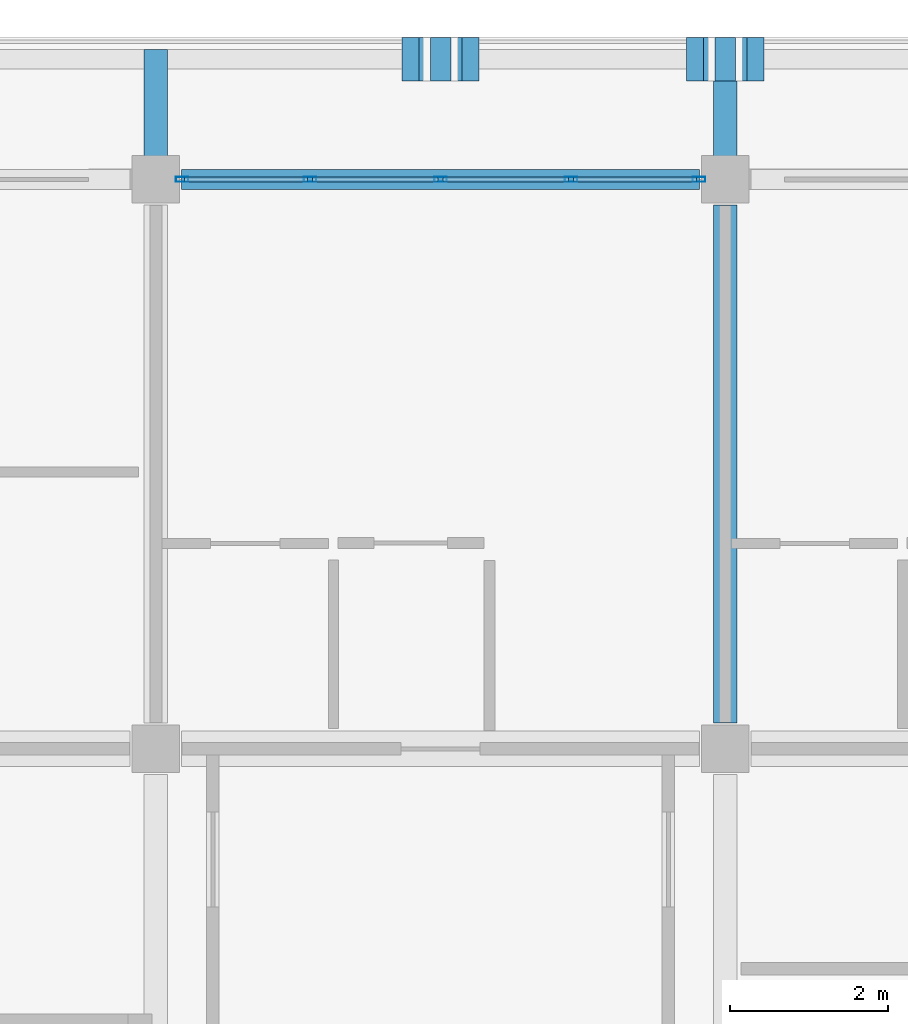
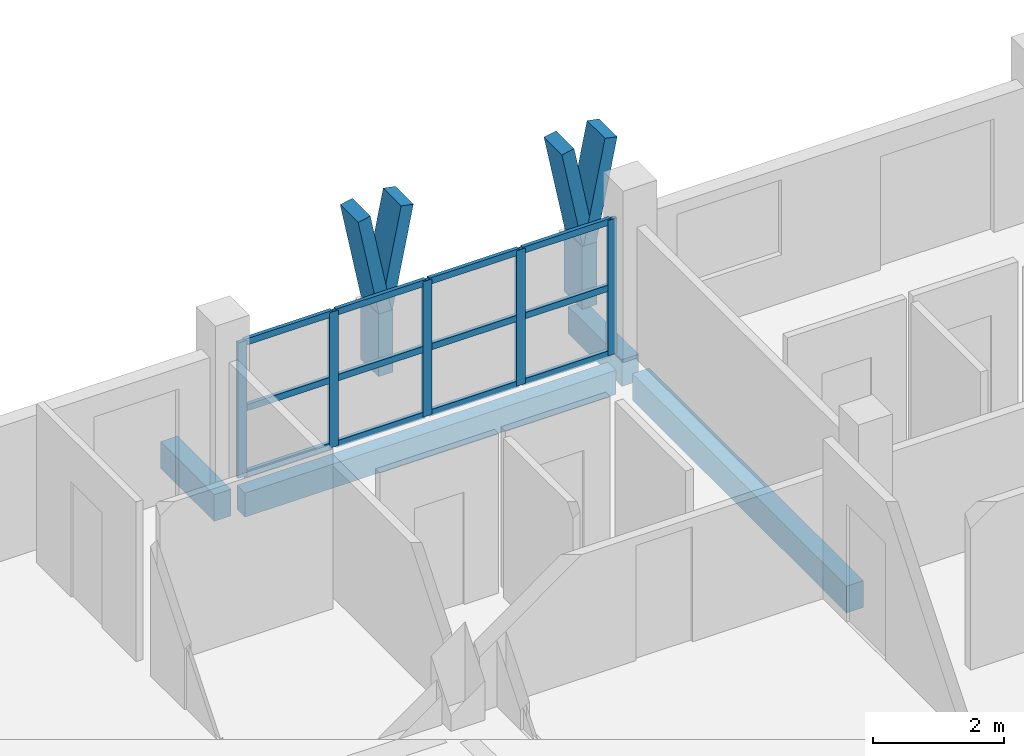
# One storey, part 15 of 73: 23 members, 4 beams, 1 element without a shape of its own.
"""IFC4 building model written with IfcOpenShell, lengths in metres."""

from ifc_helpers import new_model, si_unit, direction, frame, origin, origin_2d, place, context, subcontext, project, spatial, rectangle, hollow_rectangle, extrude, material, material_profile, profile_set, type_object, element, aggregate, save


model = new_model("IFC4")

# Units and contexts
model_context = context("Model", 3, precision=1e-05, world=origin(), true_north=direction((0.0, 1.0)))
body_context = subcontext(model_context, "Body", "Model", "MODEL_VIEW")
ifc_project = project(units=[si_unit("LENGTHUNIT", "METRE"), si_unit("AREAUNIT", "SQUARE_METRE"), si_unit("VOLUMEUNIT", "CUBIC_METRE"), si_unit("PLANEANGLEUNIT", "RADIAN"), si_unit("MASSUNIT", "GRAM", prefix="KILO")], contexts=[model_context])

# Site, building, storey
site_placement = place(None, origin())
site = spatial("IfcSite", under=ifc_project, at=site_placement, CompositionType="ELEMENT")
building_placement = place(site_placement, origin())
building = spatial("IfcBuilding", under=site, at=building_placement, Name="Suanplinth Sawtooth Commons", CompositionType="ELEMENT")
storey_placement = place(building_placement, frame((0.0, 0.0, 21.89990234375)))
storey = spatial("IfcBuildingStorey", under=building, at=storey_placement, Name="L06", CompositionType="ELEMENT", Elevation=21.89990234375)

# Beams
ifc_material_1 = material(Name="Precast concrete C40/50", Category="concrete")
ifc_material_profile_1 = material_profile(ifc_material_1, rectangle(XDim=0.300048828125, YDim=0.5, at=origin_2d()), Name="PC-BM 300x500")
ifc_profile_set_1 = profile_set([ifc_material_profile_1], Name="Precast concrete C40/50")
beam_type_1 = type_object("IfcBeamType", Name="B-07", PredefinedType="BEAM", material=ifc_profile_set_1)
beam_1_placement = place(storey_placement, frame((72.0, 115.52490234375, -0.489990234375), z_axis=(0.0, 1.0, 0.0), x_axis=(-1.0, 0.0, 0.0)))
element("IfcBeam", 1, at=beam_1_placement, inside=storey, type_object=beam_type_1, Name="BMY-L06-A-10-16", PredefinedType="BEAM", context=body_context, shape_type="SweptSolid", body=[
    extrude(rectangle(XDim=0.300048828125, YDim=0.5, at=origin_2d()), origin(), (0.0, 0.0, 1.0), 6.550048828125),
])
for number, where, z_axis, x_axis, name in (
    (2, (64.800048828125, 122.39990234375, -0.429931640625), (0.0, 1.0, 0.0), (-1.0, 0.0, 0.0), "Balcony Outrigger L06-A-N-9"),
    (3, (72.0, 122.39990234375, -0.429931640625), (0.0, 1.0, 0.0), (-1.0, 0.0, 0.0), "Balcony Outrigger L06-A-N-10"),
):
    element("IfcBeam", number, at=place(storey_placement, frame(where, z_axis=z_axis, x_axis=x_axis)), inside=storey, type_object=beam_type_1, Name=name, PredefinedType="BEAM", context=body_context, shape_type="SweptSolid", body=[
        extrude(rectangle(XDim=0.300048828125, YDim=0.5, at=origin_2d()), origin(), (0.0, 0.0, 1.0), 1.64013671875),
    ])
ifc_material_profile_2 = material_profile(ifc_material_1, rectangle(XDim=0.25, YDim=0.449951171875, at=origin_2d()), Name="PC-SP 250x450")
ifc_profile_set_2 = profile_set([ifc_material_profile_2], Name="Precast concrete C40/50")
beam_type_2 = type_object("IfcBeamType", Name="B-09", PredefinedType="SPANDREL", material=ifc_profile_set_2)
beam_2_placement = place(storey_placement, frame((65.125, 122.39990234375, -0.46484375), z_axis=(1.0, 0.0, 0.0), x_axis=(0.0, 1.0, 0.0)))
element("IfcBeam", 4, at=beam_2_placement, inside=storey, type_object=beam_type_2, Name="BMX-L06-A-9-17", PredefinedType="SPANDREL", context=body_context, shape_type="SweptSolid", body=[
    extrude(rectangle(XDim=0.25, YDim=0.449951171875, at=origin_2d()), origin(), (0.0, 0.0, 1.0), 6.550048828125),
])

# Members
ifc_material_2 = material(Name="Pigmented precast concrete C40/50", Category="concrete")
ifc_material_profile_3 = material_profile(ifc_material_2, rectangle(XDim=0.260009765625, YDim=0.550048828125, at=origin_2d()), Name="PC-FIN 260x550")
ifc_profile_set_3 = profile_set([ifc_material_profile_3], Name="Pigmented precast concrete C40/50")
member_type_1 = type_object("IfcMemberType", Name="M-09", PredefinedType="USERDEFINED", material=ifc_profile_set_3)
for number, where, z_axis, x_axis, name in (
    (5, (68.39990234375, 123.919921875, 0.0), (0.0, 0.0, 1.0), (1.0, 0.0, 0.0), "Y-Blade Stem L06-A-N-05"),
    (6, (72.0, 123.919921875, 0.0), (0.0, 0.0, 1.0), (1.0, 0.0, 0.0), "Y-Blade Stem L06-A-N-06"),
):
    element("IfcMember", number, at=place(storey_placement, frame(where, z_axis=z_axis, x_axis=x_axis)), inside=storey, type_object=member_type_1, Name=name, ObjectType="SHADING FIN", PredefinedType="USERDEFINED", context=body_context, shape_type="SweptSolid", body=[
        extrude(rectangle(XDim=0.260009765625, YDim=0.550048828125, at=origin_2d()), origin(), (0.0, 0.0, 1.0), 1.170166015625),
    ])
ifc_material_profile_4 = material_profile(ifc_material_2, rectangle(XDim=0.219970703125, YDim=0.550048828125, at=origin_2d()), Name="PC-FIN 220x550")
ifc_profile_set_4 = profile_set([ifc_material_profile_4], Name="Pigmented precast concrete C40/50")
member_type_2 = type_object("IfcMemberType", Name="M-10", PredefinedType="USERDEFINED", material=ifc_profile_set_4)
member_1_placement = place(storey_placement, frame((68.39990234375, 123.919921875, 1.130126953125), z_axis=(-0.196309979414, 0.0, 0.980541886909), x_axis=(0.980541886909, 0.0, 0.196309979414)))
element("IfcMember", 7, at=member_1_placement, inside=storey, type_object=member_type_2, Name="Y-Blade Arm L L06-A-N-05", ObjectType="SHADING FIN", PredefinedType="USERDEFINED", context=body_context, shape_type="SweptSolid", body=[
    extrude(rectangle(XDim=0.219970703125, YDim=0.550048828125, at=origin_2d()), origin(), (0.0, 0.0, 1.0), 1.9375),
])
for number, where, z_axis, x_axis, name in (
    (8, (68.39990234375, 123.919921875, 1.130126953125), (0.196431120402, 0.0, 0.980517626021), (-0.980517626021, 0.0, 0.196431120402), "Y-Blade Arm R L06-A-N-05"),
    (9, (72.0, 123.919921875, 1.130126953125), (-0.196431120402, 0.0, 0.980517626021), (0.980517626021, 0.0, 0.196431120402), "Y-Blade Arm L L06-A-N-06"),
    (10, (72.0, 123.919921875, 1.130126953125), (0.196431120402, 0.0, 0.980517626021), (-0.980517626021, 0.0, 0.196431120402), "Y-Blade Arm R L06-A-N-06"),
):
    element("IfcMember", number, at=place(storey_placement, frame(where, z_axis=z_axis, x_axis=x_axis)), inside=storey, type_object=member_type_2, Name=name, ObjectType="SHADING FIN", PredefinedType="USERDEFINED", context=body_context, shape_type="SweptSolid", body=[
        extrude(rectangle(XDim=0.219970703125, YDim=0.550048828125, at=origin_2d()), origin(), (0.0, 0.0, 1.0), 1.937744140625),
    ])

# Curtain wall, members
ifc_material_3 = material(Name="Anodized aluminium and low-E glazing", Category="aluminium")
curtain_wall_type = type_object("IfcCurtainWallType", Name="CW-06", PredefinedType="USERDEFINED", material=ifc_material_3)
curtain_wall_placement = place(storey_placement, origin())
curtain_wall = element("IfcCurtainWall", 11, at=curtain_wall_placement, inside=storey, type_object=curtain_wall_type, Name="Curtain Wall CW-L06-A-LOUNGE-8", ObjectType="CURTAIN WALL", PredefinedType="USERDEFINED")
ifc_material_4 = material(Name="Anodized aluminium 6063-T6", Category="aluminium")
ifc_material_profile_5 = material_profile(ifc_material_4, hollow_rectangle(XDim=0.06494140625, YDim=0.159912109375, WallThickness=0.00390625, at=origin_2d()), Name="ALU-MUL 65x160")
ifc_profile_set_5 = profile_set([ifc_material_profile_5], Name="Anodized aluminium 6063-T6")
member_type_3 = type_object("IfcMemberType", Name="M-13", PredefinedType="MULLION", material=ifc_profile_set_5)
member_2_placement = place(storey_placement, frame((65.132568359375, 122.39990234375, 0.0), z_axis=(0.0, 0.0, 1.0), x_axis=(0.0, 1.0, 0.0)))
member_2 = element("IfcMember", 12, at=member_2_placement, type_object=member_type_3, Name="CW-06 mullion 1", PredefinedType="MULLION", context=body_context, shape_type="SweptSolid", body=[
    extrude(hollow_rectangle(XDim=0.06494140625, YDim=0.159912109375, WallThickness=0.00390625, at=origin_2d()), origin(), (0.0, 0.0, 1.0), 2.530029296875),
])
member_3_placement = place(storey_placement, frame((66.75, 122.39990234375, 0.0), z_axis=(0.0, 0.0, 1.0), x_axis=(0.0, 1.0, 0.0)))
member_3 = element("IfcMember", 13, at=member_3_placement, type_object=member_type_3, Name="CW-06 mullion 2", PredefinedType="MULLION", context=body_context, shape_type="SweptSolid", body=[
    extrude(hollow_rectangle(XDim=0.06494140625, YDim=0.159912109375, WallThickness=0.00390625, at=origin_2d()), origin(), (0.0, 0.0, 1.0), 2.530029296875),
])
member_4_placement = place(storey_placement, frame((68.39990234375, 122.39990234375, 0.0), z_axis=(0.0, 0.0, 1.0), x_axis=(0.0, 1.0, 0.0)))
member_4 = element("IfcMember", 14, at=member_4_placement, type_object=member_type_3, Name="CW-06 mullion 3", PredefinedType="MULLION", context=body_context, shape_type="SweptSolid", body=[
    extrude(hollow_rectangle(XDim=0.06494140625, YDim=0.159912109375, WallThickness=0.00390625, at=origin_2d()), origin(), (0.0, 0.0, 1.0), 2.530029296875),
])
member_5_placement = place(storey_placement, frame((70.050048828125, 122.39990234375, 0.0), z_axis=(0.0, 0.0, 1.0), x_axis=(0.0, 1.0, 0.0)))
member_5 = element("IfcMember", 15, at=member_5_placement, type_object=member_type_3, Name="CW-06 mullion 4", PredefinedType="MULLION", context=body_context, shape_type="SweptSolid", body=[
    extrude(hollow_rectangle(XDim=0.06494140625, YDim=0.159912109375, WallThickness=0.00390625, at=origin_2d()), origin(), (0.0, 0.0, 1.0), 2.530029296875),
])
member_6_placement = place(storey_placement, frame((71.66748046875, 122.39990234375, 0.0), z_axis=(0.0, 0.0, 1.0), x_axis=(0.0, 1.0, 0.0)))
member_6 = element("IfcMember", 16, at=member_6_placement, type_object=member_type_3, Name="CW-06 mullion 5", PredefinedType="MULLION", context=body_context, shape_type="SweptSolid", body=[
    extrude(hollow_rectangle(XDim=0.06494140625, YDim=0.159912109375, WallThickness=0.00390625, at=origin_2d()), origin(), (0.0, 0.0, 1.0), 2.530029296875),
])
ifc_material_profile_6 = material_profile(ifc_material_4, hollow_rectangle(XDim=0.06494140625, YDim=0.1201171875, WallThickness=0.00390625, at=origin_2d()), Name="ALU-TRN 65x120")
ifc_profile_set_6 = profile_set([ifc_material_profile_6], Name="Anodized aluminium 6063-T6")
member_type_4 = type_object("IfcMemberType", Name="M-15", PredefinedType="USERDEFINED", material=ifc_profile_set_6)
member_7_placement = place(storey_placement, frame((65.1650390625, 122.39990234375, 0.03271484375), z_axis=(1.0, 0.0, 0.0), x_axis=(0.0, 1.0, 0.0)))
member_7 = element("IfcMember", 17, at=member_7_placement, type_object=member_type_4, Name="CW-06 transom 1.1", ObjectType="TRANSOM", PredefinedType="USERDEFINED", context=body_context, shape_type="SweptSolid", body=[
    extrude(hollow_rectangle(XDim=0.06494140625, YDim=0.1201171875, WallThickness=0.00390625, at=origin_2d()), origin(), (0.0, 0.0, 1.0), 1.552490234375),
])
member_8_placement = place(storey_placement, frame((65.1650390625, 122.39990234375, 1.26513671875), z_axis=(1.0, 0.0, 0.0), x_axis=(0.0, 1.0, 0.0)))
member_8 = element("IfcMember", 18, at=member_8_placement, type_object=member_type_4, Name="CW-06 transom 1.2", ObjectType="TRANSOM", PredefinedType="USERDEFINED", context=body_context, shape_type="SweptSolid", body=[
    extrude(hollow_rectangle(XDim=0.06494140625, YDim=0.1201171875, WallThickness=0.00390625, at=origin_2d()), origin(), (0.0, 0.0, 1.0), 1.552490234375),
])
member_9_placement = place(storey_placement, frame((65.1650390625, 122.39990234375, 2.49755859375), z_axis=(1.0, 0.0, 0.0), x_axis=(0.0, 1.0, 0.0)))
member_9 = element("IfcMember", 19, at=member_9_placement, type_object=member_type_4, Name="CW-06 transom 1.3", ObjectType="TRANSOM", PredefinedType="USERDEFINED", context=body_context, shape_type="SweptSolid", body=[
    extrude(hollow_rectangle(XDim=0.06494140625, YDim=0.1201171875, WallThickness=0.00390625, at=origin_2d()), origin(), (0.0, 0.0, 1.0), 1.552490234375),
])
member_10_placement = place(storey_placement, frame((66.782470703125, 122.39990234375, 0.03271484375), z_axis=(1.0, 0.0, 0.0), x_axis=(0.0, 1.0, 0.0)))
member_10 = element("IfcMember", 20, at=member_10_placement, type_object=member_type_4, Name="CW-06 transom 2.1", ObjectType="TRANSOM", PredefinedType="USERDEFINED", context=body_context, shape_type="SweptSolid", body=[
    extrude(hollow_rectangle(XDim=0.06494140625, YDim=0.1201171875, WallThickness=0.00390625, at=origin_2d()), origin(), (0.0, 0.0, 1.0), 1.5849609375),
])
member_11_placement = place(storey_placement, frame((66.782470703125, 122.39990234375, 1.26513671875), z_axis=(1.0, 0.0, 0.0), x_axis=(0.0, 1.0, 0.0)))
member_11 = element("IfcMember", 21, at=member_11_placement, type_object=member_type_4, Name="CW-06 transom 2.2", ObjectType="TRANSOM", PredefinedType="USERDEFINED", context=body_context, shape_type="SweptSolid", body=[
    extrude(hollow_rectangle(XDim=0.06494140625, YDim=0.1201171875, WallThickness=0.00390625, at=origin_2d()), origin(), (0.0, 0.0, 1.0), 1.5849609375),
])
member_12_placement = place(storey_placement, frame((66.782470703125, 122.39990234375, 2.49755859375), z_axis=(1.0, 0.0, 0.0), x_axis=(0.0, 1.0, 0.0)))
member_12 = element("IfcMember", 22, at=member_12_placement, type_object=member_type_4, Name="CW-06 transom 2.3", ObjectType="TRANSOM", PredefinedType="USERDEFINED", context=body_context, shape_type="SweptSolid", body=[
    extrude(hollow_rectangle(XDim=0.06494140625, YDim=0.1201171875, WallThickness=0.00390625, at=origin_2d()), origin(), (0.0, 0.0, 1.0), 1.5849609375),
])
member_13_placement = place(storey_placement, frame((68.4326171875, 122.39990234375, 0.03271484375), z_axis=(1.0, 0.0, 0.0), x_axis=(0.0, 1.0, 0.0)))
member_13 = element("IfcMember", 23, at=member_13_placement, type_object=member_type_4, Name="CW-06 transom 3.1", ObjectType="TRANSOM", PredefinedType="USERDEFINED", context=body_context, shape_type="SweptSolid", body=[
    extrude(hollow_rectangle(XDim=0.06494140625, YDim=0.1201171875, WallThickness=0.00390625, at=origin_2d()), origin(), (0.0, 0.0, 1.0), 1.5849609375),
])
member_14_placement = place(storey_placement, frame((68.4326171875, 122.39990234375, 1.26513671875), z_axis=(1.0, 0.0, 0.0), x_axis=(0.0, 1.0, 0.0)))
member_14 = element("IfcMember", 24, at=member_14_placement, type_object=member_type_4, Name="CW-06 transom 3.2", ObjectType="TRANSOM", PredefinedType="USERDEFINED", context=body_context, shape_type="SweptSolid", body=[
    extrude(hollow_rectangle(XDim=0.06494140625, YDim=0.1201171875, WallThickness=0.00390625, at=origin_2d()), origin(), (0.0, 0.0, 1.0), 1.5849609375),
])
member_15_placement = place(storey_placement, frame((68.4326171875, 122.39990234375, 2.49755859375), z_axis=(1.0, 0.0, 0.0), x_axis=(0.0, 1.0, 0.0)))
member_15 = element("IfcMember", 25, at=member_15_placement, type_object=member_type_4, Name="CW-06 transom 3.3", ObjectType="TRANSOM", PredefinedType="USERDEFINED", context=body_context, shape_type="SweptSolid", body=[
    extrude(hollow_rectangle(XDim=0.06494140625, YDim=0.1201171875, WallThickness=0.00390625, at=origin_2d()), origin(), (0.0, 0.0, 1.0), 1.5849609375),
])
member_16_placement = place(storey_placement, frame((70.08251953125, 122.39990234375, 0.03271484375), z_axis=(1.0, 0.0, 0.0), x_axis=(0.0, 1.0, 0.0)))
member_16 = element("IfcMember", 26, at=member_16_placement, type_object=member_type_4, Name="CW-06 transom 4.1", ObjectType="TRANSOM", PredefinedType="USERDEFINED", context=body_context, shape_type="SweptSolid", body=[
    extrude(hollow_rectangle(XDim=0.06494140625, YDim=0.1201171875, WallThickness=0.00390625, at=origin_2d()), origin(), (0.0, 0.0, 1.0), 1.552490234375),
])
member_17_placement = place(storey_placement, frame((70.08251953125, 122.39990234375, 1.26513671875), z_axis=(1.0, 0.0, 0.0), x_axis=(0.0, 1.0, 0.0)))
member_17 = element("IfcMember", 27, at=member_17_placement, type_object=member_type_4, Name="CW-06 transom 4.2", ObjectType="TRANSOM", PredefinedType="USERDEFINED", context=body_context, shape_type="SweptSolid", body=[
    extrude(hollow_rectangle(XDim=0.06494140625, YDim=0.1201171875, WallThickness=0.00390625, at=origin_2d()), origin(), (0.0, 0.0, 1.0), 1.552490234375),
])
member_18_placement = place(storey_placement, frame((70.08251953125, 122.39990234375, 2.49755859375), z_axis=(1.0, 0.0, 0.0), x_axis=(0.0, 1.0, 0.0)))
member_18 = element("IfcMember", 28, at=member_18_placement, type_object=member_type_4, Name="CW-06 transom 4.3", ObjectType="TRANSOM", PredefinedType="USERDEFINED", context=body_context, shape_type="SweptSolid", body=[
    extrude(hollow_rectangle(XDim=0.06494140625, YDim=0.1201171875, WallThickness=0.00390625, at=origin_2d()), origin(), (0.0, 0.0, 1.0), 1.552490234375),
])
aggregate(curtain_wall, [member_2, member_3, member_4, member_5, member_6, member_7, member_8, member_9, member_10, member_11, member_12, member_13, member_14, member_15, member_16, member_17, member_18])

save(model, "model.ifc")
